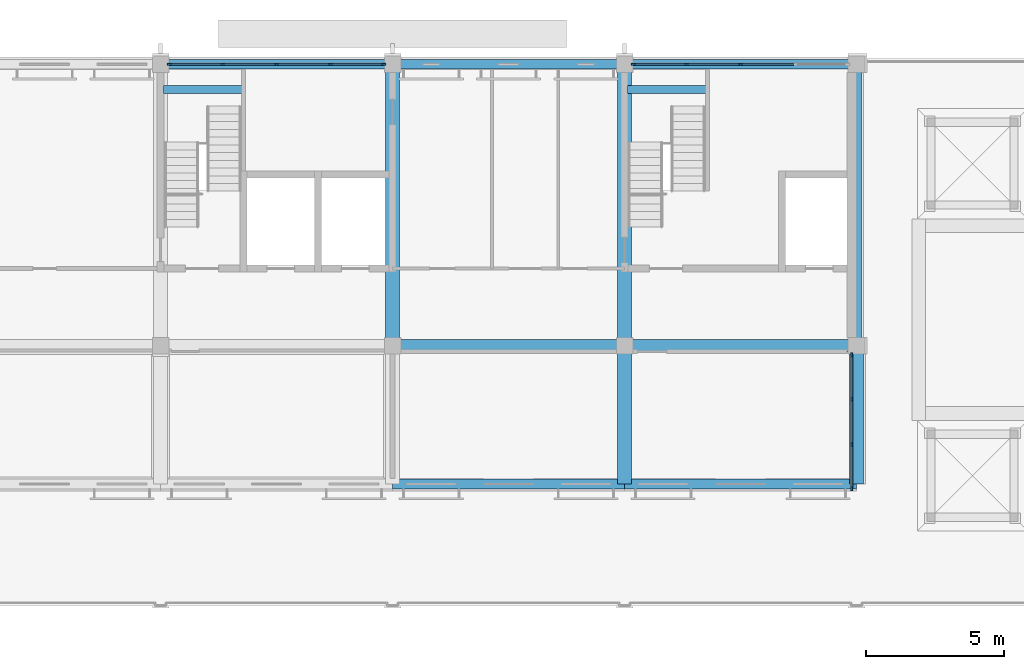
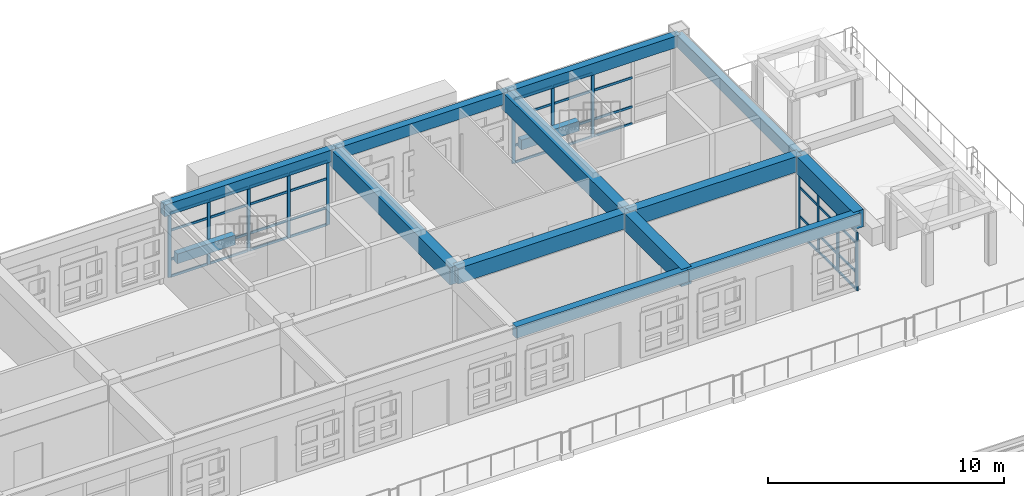
# One storey, part 19 of 71: 51 members, 14 beams, 3 elements without a shape of their own.
"""IFC4 building model written with IfcOpenShell, lengths in metres."""

from ifc_helpers import new_model, si_unit, direction, frame, origin, origin_2d, place, context, subcontext, project, spatial, rectangle, extrude, material, layer, layer_set, material_profile, profile_set, type_object, element, aggregate, save


model = new_model("IFC4")

# Units and contexts
model_context = context("Model", 3, precision=1e-05, world=origin(), true_north=direction((0.0, 1.0)))
body_context = subcontext(model_context, "Body", "Model", "MODEL_VIEW")
ifc_project = project(units=[si_unit("LENGTHUNIT", "METRE"), si_unit("AREAUNIT", "SQUARE_METRE"), si_unit("VOLUMEUNIT", "CUBIC_METRE"), si_unit("PLANEANGLEUNIT", "RADIAN"), si_unit("MASSUNIT", "GRAM", prefix="KILO")], contexts=[model_context])

# Site, building, storey
site_placement = place(None, origin())
site = spatial("IfcSite", under=ifc_project, at=site_placement, CompositionType="ELEMENT")
building_placement = place(site_placement, origin())
building = spatial("IfcBuilding", under=site, at=building_placement, Name="Wasatch Bagh Community Centre", CompositionType="ELEMENT")
storey_placement = place(building_placement, frame((0.0, 0.0, 12.60009765625)))
storey = spatial("IfcBuildingStorey", under=building, at=storey_placement, Name="L03", CompositionType="ELEMENT", Elevation=12.60009765625)

# Beams
ifc_material_1 = material(Name="Concrete C35", Category="concrete")
ifc_material_profile_1 = material_profile(ifc_material_1, rectangle(XDim=0.300048828125, YDim=0.5, at=origin_2d()), Name="RC 300x500")
ifc_profile_set_1 = profile_set([ifc_material_profile_1], Name="Concrete C35")
beam_type_1 = type_object("IfcBeamType", Name="LW RC 300x500", PredefinedType="BEAM", material=ifc_profile_set_1)
for number, where, z_axis, x_axis, name in (
    (1, (106.10498046875, 96.8798828125, 1.64990234375), (1.0, 0.0, 0.0), (0.0, 1.0, 0.0), "LW.lbeam.L03.C2"),
    (2, (122.905029296875, 96.8798828125, 1.64990234375), (1.0, 0.0, 0.0), (0.0, 1.0, 0.0), "LW.lbeam.L03.C3"),
):
    element("IfcBeam", number, at=place(storey_placement, frame(where, z_axis=z_axis, x_axis=x_axis)), inside=storey, type_object=beam_type_1, Name=name, PredefinedType="BEAM", context=body_context, shape_type="SweptSolid", body=[
        extrude(rectangle(XDim=0.300048828125, YDim=0.5, at=origin_2d()), origin(), (0.0, 0.0, 1.0), 2.840087890625),
    ])
ifc_material_profile_2 = material_profile(ifc_material_1, rectangle(XDim=0.35009765625, YDim=0.60009765625, at=origin_2d()), Name="RC 350x600")
ifc_profile_set_2 = profile_set([ifc_material_profile_2], Name="Concrete C35")
beam_type_2 = type_object("IfcBeamType", Name="LW RC 350x600", PredefinedType="BEAM", material=ifc_profile_set_2)
beam_1_placement = place(storey_placement, frame((106.0, 97.800048828125, 3.619873046875), z_axis=(1.0, 0.0, 0.0), x_axis=(0.0, 1.0, 0.0)))
element("IfcBeam", 3, at=beam_1_placement, inside=storey, type_object=beam_type_2, Name="W6-W7N", PredefinedType="BEAM", context=body_context, shape_type="SweptSolid", body=[
    extrude(rectangle(XDim=0.35009765625, YDim=0.60009765625, at=origin_2d()), origin(), (0.0, 0.0, 1.0), 8.39990234375),
])
beam_2_placement = place(storey_placement, frame((114.39990234375, 97.800048828125, 3.619873046875), z_axis=(1.0, 0.0, 0.0), x_axis=(0.0, 1.0, 0.0)))
element("IfcBeam", 4, at=beam_2_placement, inside=storey, type_object=beam_type_2, Name="W7-W8N", PredefinedType="BEAM", context=body_context, shape_type="SweptSolid", body=[
    extrude(rectangle(XDim=0.35009765625, YDim=0.60009765625, at=origin_2d()), origin(), (0.0, 0.0, 1.0), 8.400146484375),
])
beam_3_placement = place(storey_placement, frame((122.800048828125, 97.800048828125, 3.619873046875), z_axis=(1.0, 0.0, 0.0), x_axis=(0.0, 1.0, 0.0)))
element("IfcBeam", 5, at=beam_3_placement, inside=storey, type_object=beam_type_2, Name="W8-W9N", PredefinedType="BEAM", context=body_context, shape_type="SweptSolid", body=[
    extrude(rectangle(XDim=0.35009765625, YDim=0.60009765625, at=origin_2d()), origin(), (0.0, 0.0, 1.0), 8.39990234375),
])
beam_4_placement = place(storey_placement, frame((131.199951171875, 87.60009765625, 3.619873046875), z_axis=(0.0, 1.0, 0.0), x_axis=(-1.0, 0.0, 0.0)))
element("IfcBeam", 6, at=beam_4_placement, inside=storey, type_object=beam_type_2, Name="W9M-N", PredefinedType="BEAM", context=body_context, shape_type="SweptSolid", body=[
    extrude(rectangle(XDim=0.35009765625, YDim=0.60009765625, at=origin_2d()), origin(), (0.0, 0.0, 1.0), 10.199951171875),
])
beam_5_placement = place(storey_placement, frame((114.39990234375, 82.60009765625, 3.619873046875), z_axis=(1.0, 0.0, 0.0), x_axis=(0.0, 1.0, 0.0)))
element("IfcBeam", 7, at=beam_5_placement, inside=storey, type_object=beam_type_2, Name="W7-W8tip", PredefinedType="BEAM", context=body_context, shape_type="SweptSolid", body=[
    extrude(rectangle(XDim=0.35009765625, YDim=0.60009765625, at=origin_2d()), origin(), (0.0, 0.0, 1.0), 8.400146484375),
])
beam_6_placement = place(storey_placement, frame((122.800048828125, 82.60009765625, 3.619873046875), z_axis=(1.0, 0.0, 0.0), x_axis=(0.0, 1.0, 0.0)))
element("IfcBeam", 8, at=beam_6_placement, inside=storey, type_object=beam_type_2, Name="W8-W9tip", PredefinedType="BEAM", context=body_context, shape_type="SweptSolid", body=[
    extrude(rectangle(XDim=0.35009765625, YDim=0.60009765625, at=origin_2d()), origin(), (0.0, 0.0, 1.0), 8.39990234375),
])
ifc_material_profile_3 = material_profile(ifc_material_1, rectangle(XDim=0.449951171875, YDim=0.800048828125, at=origin_2d()), Name="RC 450x800")
ifc_profile_set_3 = profile_set([ifc_material_profile_3], Name="Concrete C35")
beam_type_3 = type_object("IfcBeamType", Name="LW RC 450x800", PredefinedType="BEAM", material=ifc_profile_set_3)
beam_7_placement = place(storey_placement, frame((114.39990234375, 87.60009765625, 3.52001953125), z_axis=(1.0, 0.0, 0.0), x_axis=(0.0, 1.0, 0.0)))
element("IfcBeam", 9, at=beam_7_placement, inside=storey, type_object=beam_type_3, Name="W7-W8M", PredefinedType="BEAM", context=body_context, shape_type="SweptSolid", body=[
    extrude(rectangle(XDim=0.449951171875, YDim=0.800048828125, at=origin_2d()), origin(), (0.0, 0.0, 1.0), 8.400146484375),
])
beam_8_placement = place(storey_placement, frame((122.800048828125, 87.60009765625, 3.52001953125), z_axis=(1.0, 0.0, 0.0), x_axis=(0.0, 1.0, 0.0)))
element("IfcBeam", 10, at=beam_8_placement, inside=storey, type_object=beam_type_3, Name="W8-W9M", PredefinedType="BEAM", context=body_context, shape_type="SweptSolid", body=[
    extrude(rectangle(XDim=0.449951171875, YDim=0.800048828125, at=origin_2d()), origin(), (0.0, 0.0, 1.0), 8.39990234375),
])
ifc_material_profile_4 = material_profile(ifc_material_1, rectangle(XDim=0.5, YDim=0.89990234375, at=origin_2d()), Name="RC 500x900")
ifc_profile_set_4 = profile_set([ifc_material_profile_4], Name="Concrete C35")
beam_type_4 = type_object("IfcBeamType", Name="LW RC 500x900", PredefinedType="BEAM", material=ifc_profile_set_4)
for number, where, z_axis, x_axis, name in (
    (11, (114.39990234375, 87.60009765625, 3.469970703125), (0.0, 1.0, 0.0), (-1.0, 0.0, 0.0), "W7M-N"),
    (12, (122.800048828125, 87.60009765625, 3.469970703125), (0.0, 1.0, 0.0), (-1.0, 0.0, 0.0), "W8M-N"),
):
    element("IfcBeam", number, at=place(storey_placement, frame(where, z_axis=z_axis, x_axis=x_axis)), inside=storey, type_object=beam_type_4, Name=name, PredefinedType="BEAM", context=body_context, shape_type="SweptSolid", body=[
        extrude(rectangle(XDim=0.5, YDim=0.89990234375, at=origin_2d()), origin(), (0.0, 0.0, 1.0), 10.199951171875),
    ])
for number, where, z_axis, x_axis, name in (
    (13, (122.800048828125, 87.60009765625, 3.469970703125), (0.0, -1.0, 0.0), (1.0, 0.0, 0.0), "W8M-tip"),
    (14, (131.199951171875, 87.60009765625, 3.469970703125), (0.0, -1.0, 0.0), (1.0, 0.0, 0.0), "W9M-tip"),
):
    element("IfcBeam", number, at=place(storey_placement, frame(where, z_axis=z_axis, x_axis=x_axis)), inside=storey, type_object=beam_type_4, Name=name, PredefinedType="BEAM", context=body_context, shape_type="SweptSolid", body=[
        extrude(rectangle(XDim=0.5, YDim=0.89990234375, at=origin_2d()), origin(), (0.0, 0.0, 1.0), 5.0),
    ])

# Curtain wall, members
ifc_material_2 = material(Name="Aluminium curtain wall frame with low-iron glass", Category="aluminium")
ifc_layer_1 = layer(ifc_material_2, 0.10009765625)
ifc_layer_set_1 = layer_set([ifc_layer_1], Name="Aluminium curtain wall frame with low-iron glass")
curtain_wall_type_1 = type_object("IfcCurtainWallType", Name="LW curtain wall 100", PredefinedType="NOTDEFINED", material=ifc_layer_set_1)
curtain_wall_1_placement = place(storey_placement, origin())
curtain_wall_1 = element("IfcCurtainWall", 15, at=curtain_wall_1_placement, inside=storey, type_object=curtain_wall_type_1, Name="Curtain wall 03.04", PredefinedType="NOTDEFINED")
ifc_material_3 = material(Name="Aluminium extrusion", Category="aluminium")
ifc_material_profile_5 = material_profile(ifc_material_3, rectangle(XDim=0.06005859375, YDim=0.159912109375, at=origin_2d()), Name="AL 60x160")
ifc_profile_set_5 = profile_set([ifc_material_profile_5], Name="Aluminium extrusion")
member_type_1 = type_object("IfcMemberType", Name="LW curtain wall mullion 60x160", PredefinedType="MULLION", material=ifc_profile_set_5)
member_1_placement = place(storey_placement, frame((106.330078125, 97.800048828125, 0.0), z_axis=(0.0, 0.0, 1.0), x_axis=(0.0, 1.0, 0.0)))
member_1 = element("IfcMember", 16, at=member_1_placement, type_object=member_type_1, Name="LW-CW1 mullion 1", PredefinedType="MULLION", context=body_context, shape_type="SweptSolid", body=[
    extrude(rectangle(XDim=0.06005859375, YDim=0.159912109375, at=origin_2d()), origin(), (0.0, 0.0, 1.0), 3.31982421875),
])
member_2_placement = place(storey_placement, frame((108.25, 97.800048828125, 0.0), z_axis=(0.0, 0.0, 1.0), x_axis=(0.0, 1.0, 0.0)))
member_2 = element("IfcMember", 17, at=member_2_placement, type_object=member_type_1, Name="LW-CW1 mullion 2", PredefinedType="MULLION", context=body_context, shape_type="SweptSolid", body=[
    extrude(rectangle(XDim=0.06005859375, YDim=0.159912109375, at=origin_2d()), origin(), (0.0, 0.0, 1.0), 3.31982421875),
])
member_3_placement = place(storey_placement, frame((110.199951171875, 97.800048828125, 0.0), z_axis=(0.0, 0.0, 1.0), x_axis=(0.0, 1.0, 0.0)))
member_3 = element("IfcMember", 18, at=member_3_placement, type_object=member_type_1, Name="LW-CW1 mullion 3", PredefinedType="MULLION", context=body_context, shape_type="SweptSolid", body=[
    extrude(rectangle(XDim=0.06005859375, YDim=0.159912109375, at=origin_2d()), origin(), (0.0, 0.0, 1.0), 3.31982421875),
])
member_4_placement = place(storey_placement, frame((112.14990234375, 97.800048828125, 0.0), z_axis=(0.0, 0.0, 1.0), x_axis=(0.0, 1.0, 0.0)))
member_4 = element("IfcMember", 19, at=member_4_placement, type_object=member_type_1, Name="LW-CW1 mullion 4", PredefinedType="MULLION", context=body_context, shape_type="SweptSolid", body=[
    extrude(rectangle(XDim=0.06005859375, YDim=0.159912109375, at=origin_2d()), origin(), (0.0, 0.0, 1.0), 3.31982421875),
])
member_5_placement = place(storey_placement, frame((114.070068359375, 97.800048828125, 0.0), z_axis=(0.0, 0.0, 1.0), x_axis=(0.0, 1.0, 0.0)))
member_5 = element("IfcMember", 20, at=member_5_placement, type_object=member_type_1, Name="LW-CW1 mullion 5", PredefinedType="MULLION", context=body_context, shape_type="SweptSolid", body=[
    extrude(rectangle(XDim=0.06005859375, YDim=0.159912109375, at=origin_2d()), origin(), (0.0, 0.0, 1.0), 3.31982421875),
])

curtain_wall_2_placement = place(storey_placement, origin())
curtain_wall_2 = element("IfcCurtainWall", 21, at=curtain_wall_2_placement, inside=storey, type_object=curtain_wall_type_1, Name="Curtain wall 03.05", PredefinedType="NOTDEFINED")
member_6_placement = place(storey_placement, frame((123.1298828125, 97.800048828125, 0.0), z_axis=(0.0, 0.0, 1.0), x_axis=(0.0, 1.0, 0.0)))
member_6 = element("IfcMember", 22, at=member_6_placement, type_object=member_type_1, Name="LW-CW1 mullion 1", PredefinedType="MULLION", context=body_context, shape_type="SweptSolid", body=[
    extrude(rectangle(XDim=0.06005859375, YDim=0.159912109375, at=origin_2d()), origin(), (0.0, 0.0, 1.0), 3.31982421875),
])
member_7_placement = place(storey_placement, frame((125.050048828125, 97.800048828125, 0.0), z_axis=(0.0, 0.0, 1.0), x_axis=(0.0, 1.0, 0.0)))
member_7 = element("IfcMember", 23, at=member_7_placement, type_object=member_type_1, Name="LW-CW1 mullion 2", PredefinedType="MULLION", context=body_context, shape_type="SweptSolid", body=[
    extrude(rectangle(XDim=0.06005859375, YDim=0.159912109375, at=origin_2d()), origin(), (0.0, 0.0, 1.0), 3.31982421875),
])
member_8_placement = place(storey_placement, frame((127.0, 97.800048828125, 0.0), z_axis=(0.0, 0.0, 1.0), x_axis=(0.0, 1.0, 0.0)))
member_8 = element("IfcMember", 24, at=member_8_placement, type_object=member_type_1, Name="LW-CW1 mullion 3", PredefinedType="MULLION", context=body_context, shape_type="SweptSolid", body=[
    extrude(rectangle(XDim=0.06005859375, YDim=0.159912109375, at=origin_2d()), origin(), (0.0, 0.0, 1.0), 3.31982421875),
])

ifc_layer_2 = layer(ifc_material_2, 0.159912109375)
ifc_layer_set_2 = layer_set([ifc_layer_2], Name="Aluminium curtain wall frame with low-iron glass")
curtain_wall_type_2 = type_object("IfcCurtainWallType", Name="LW gable curtain wall 160", PredefinedType="NOTDEFINED", material=ifc_layer_set_2)
curtain_wall_3_placement = place(storey_placement, origin())
curtain_wall_3 = element("IfcCurtainWall", 25, at=curtain_wall_3_placement, inside=storey, type_object=curtain_wall_type_2, Name="Curtain wall 03.07", PredefinedType="NOTDEFINED")
ifc_material_profile_6 = material_profile(ifc_material_3, rectangle(XDim=0.06005859375, YDim=0.159912109375, at=origin_2d()), Name="AL 60x160")
ifc_profile_set_6 = profile_set([ifc_material_profile_6], Name="Aluminium extrusion")
member_type_2 = type_object("IfcMemberType", Name="LW curtain wall mullion 60x160 LW-CW4", PredefinedType="MULLION", material=ifc_profile_set_6)
member_9_placement = place(storey_placement, frame((131.02490234375, 82.429931640625, 0.0), z_axis=(0.0, 0.0, 1.0), x_axis=(-1.0, 0.0, 0.0)))
member_9 = element("IfcMember", 26, at=member_9_placement, type_object=member_type_2, Name="LW-CW4 mullion 1", PredefinedType="MULLION", context=body_context, shape_type="SweptSolid", body=[
    extrude(rectangle(XDim=0.06005859375, YDim=0.159912109375, at=origin_2d()), origin(), (0.0, 0.0, 1.0), 3.02001953125),
])
member_10_placement = place(storey_placement, frame((131.02490234375, 84.033447265625, 0.0), z_axis=(0.0, 0.0, 1.0), x_axis=(-1.0, 0.0, 0.0)))
member_10 = element("IfcMember", 27, at=member_10_placement, type_object=member_type_2, Name="LW-CW4 mullion 2", PredefinedType="MULLION", context=body_context, shape_type="SweptSolid", body=[
    extrude(rectangle(XDim=0.06005859375, YDim=0.159912109375, at=origin_2d()), origin(), (0.0, 0.0, 1.0), 3.02001953125),
])
member_11_placement = place(storey_placement, frame((131.02490234375, 85.666748046875, 0.0), z_axis=(0.0, 0.0, 1.0), x_axis=(-1.0, 0.0, 0.0)))
member_11 = element("IfcMember", 28, at=member_11_placement, type_object=member_type_2, Name="LW-CW4 mullion 3", PredefinedType="MULLION", context=body_context, shape_type="SweptSolid", body=[
    extrude(rectangle(XDim=0.06005859375, YDim=0.159912109375, at=origin_2d()), origin(), (0.0, 0.0, 1.0), 3.02001953125),
])
member_12_placement = place(storey_placement, frame((131.02490234375, 87.27001953125, 0.0), z_axis=(0.0, 0.0, 1.0), x_axis=(-1.0, 0.0, 0.0)))
member_12 = element("IfcMember", 29, at=member_12_placement, type_object=member_type_2, Name="LW-CW4 mullion 4", PredefinedType="MULLION", context=body_context, shape_type="SweptSolid", body=[
    extrude(rectangle(XDim=0.06005859375, YDim=0.159912109375, at=origin_2d()), origin(), (0.0, 0.0, 1.0), 3.02001953125),
])

# Member
ifc_material_profile_7 = material_profile(ifc_material_3, rectangle(XDim=0.06005859375, YDim=0.1201171875, at=origin_2d()), Name="AL 60x120")
ifc_profile_set_7 = profile_set([ifc_material_profile_7], Name="Aluminium extrusion")
member_type_3 = type_object("IfcMemberType", Name="LW curtain wall transom 60x120", PredefinedType="USERDEFINED", material=ifc_profile_set_7)
member_13_placement = place(storey_placement, frame((106.360107421875, 97.800048828125, 0.02978515625), z_axis=(1.0, 0.0, 0.0), x_axis=(0.0, 1.0, 0.0)))
member_13 = element("IfcMember", 30, at=member_13_placement, type_object=member_type_3, Name="LW-CW1 transom 1.1", ObjectType="TRANSOM", PredefinedType="USERDEFINED", context=body_context, shape_type="SweptSolid", body=[
    extrude(rectangle(XDim=0.06005859375, YDim=0.1201171875, at=origin_2d()), origin(), (0.0, 0.0, 1.0), 1.85986328125),
])

member_14_placement = place(storey_placement, frame((106.360107421875, 97.800048828125, 0.89990234375), z_axis=(1.0, 0.0, 0.0), x_axis=(0.0, 1.0, 0.0)))
member_14 = element("IfcMember", 31, at=member_14_placement, type_object=member_type_3, Name="LW-CW1 transom 1.2", ObjectType="TRANSOM", PredefinedType="USERDEFINED", context=body_context, shape_type="SweptSolid", body=[
    extrude(rectangle(XDim=0.06005859375, YDim=0.1201171875, at=origin_2d()), origin(), (0.0, 0.0, 1.0), 1.85986328125),
])

member_15_placement = place(storey_placement, frame((106.360107421875, 97.800048828125, 2.39990234375), z_axis=(1.0, 0.0, 0.0), x_axis=(0.0, 1.0, 0.0)))
member_15 = element("IfcMember", 32, at=member_15_placement, type_object=member_type_3, Name="LW-CW1 transom 1.3", ObjectType="TRANSOM", PredefinedType="USERDEFINED", context=body_context, shape_type="SweptSolid", body=[
    extrude(rectangle(XDim=0.06005859375, YDim=0.1201171875, at=origin_2d()), origin(), (0.0, 0.0, 1.0), 1.85986328125),
])

member_16_placement = place(storey_placement, frame((106.360107421875, 97.800048828125, 3.289794921875), z_axis=(1.0, 0.0, 0.0), x_axis=(0.0, 1.0, 0.0)))
member_16 = element("IfcMember", 33, at=member_16_placement, type_object=member_type_3, Name="LW-CW1 transom 1.4", ObjectType="TRANSOM", PredefinedType="USERDEFINED", context=body_context, shape_type="SweptSolid", body=[
    extrude(rectangle(XDim=0.06005859375, YDim=0.1201171875, at=origin_2d()), origin(), (0.0, 0.0, 1.0), 1.85986328125),
])

member_17_placement = place(storey_placement, frame((108.280029296875, 97.800048828125, 0.02978515625), z_axis=(1.0, 0.0, 0.0), x_axis=(0.0, 1.0, 0.0)))
member_17 = element("IfcMember", 34, at=member_17_placement, type_object=member_type_3, Name="LW-CW1 transom 2.1", ObjectType="TRANSOM", PredefinedType="USERDEFINED", context=body_context, shape_type="SweptSolid", body=[
    extrude(rectangle(XDim=0.06005859375, YDim=0.1201171875, at=origin_2d()), origin(), (0.0, 0.0, 1.0), 1.889892578125),
])

member_18_placement = place(storey_placement, frame((108.280029296875, 97.800048828125, 0.89990234375), z_axis=(1.0, 0.0, 0.0), x_axis=(0.0, 1.0, 0.0)))
member_18 = element("IfcMember", 35, at=member_18_placement, type_object=member_type_3, Name="LW-CW1 transom 2.2", ObjectType="TRANSOM", PredefinedType="USERDEFINED", context=body_context, shape_type="SweptSolid", body=[
    extrude(rectangle(XDim=0.06005859375, YDim=0.1201171875, at=origin_2d()), origin(), (0.0, 0.0, 1.0), 1.889892578125),
])

member_19_placement = place(storey_placement, frame((108.280029296875, 97.800048828125, 2.39990234375), z_axis=(1.0, 0.0, 0.0), x_axis=(0.0, 1.0, 0.0)))
member_19 = element("IfcMember", 36, at=member_19_placement, type_object=member_type_3, Name="LW-CW1 transom 2.3", ObjectType="TRANSOM", PredefinedType="USERDEFINED", context=body_context, shape_type="SweptSolid", body=[
    extrude(rectangle(XDim=0.06005859375, YDim=0.1201171875, at=origin_2d()), origin(), (0.0, 0.0, 1.0), 1.889892578125),
])

member_20_placement = place(storey_placement, frame((108.280029296875, 97.800048828125, 3.289794921875), z_axis=(1.0, 0.0, 0.0), x_axis=(0.0, 1.0, 0.0)))
member_20 = element("IfcMember", 37, at=member_20_placement, type_object=member_type_3, Name="LW-CW1 transom 2.4", ObjectType="TRANSOM", PredefinedType="USERDEFINED", context=body_context, shape_type="SweptSolid", body=[
    extrude(rectangle(XDim=0.06005859375, YDim=0.1201171875, at=origin_2d()), origin(), (0.0, 0.0, 1.0), 1.889892578125),
])

member_21_placement = place(storey_placement, frame((110.22998046875, 97.800048828125, 0.02978515625), z_axis=(1.0, 0.0, 0.0), x_axis=(0.0, 1.0, 0.0)))
member_21 = element("IfcMember", 38, at=member_21_placement, type_object=member_type_3, Name="LW-CW1 transom 3.1", ObjectType="TRANSOM", PredefinedType="USERDEFINED", context=body_context, shape_type="SweptSolid", body=[
    extrude(rectangle(XDim=0.06005859375, YDim=0.1201171875, at=origin_2d()), origin(), (0.0, 0.0, 1.0), 1.89013671875),
])

member_22_placement = place(storey_placement, frame((110.22998046875, 97.800048828125, 0.89990234375), z_axis=(1.0, 0.0, 0.0), x_axis=(0.0, 1.0, 0.0)))
member_22 = element("IfcMember", 39, at=member_22_placement, type_object=member_type_3, Name="LW-CW1 transom 3.2", ObjectType="TRANSOM", PredefinedType="USERDEFINED", context=body_context, shape_type="SweptSolid", body=[
    extrude(rectangle(XDim=0.06005859375, YDim=0.1201171875, at=origin_2d()), origin(), (0.0, 0.0, 1.0), 1.89013671875),
])

member_23_placement = place(storey_placement, frame((110.22998046875, 97.800048828125, 2.39990234375), z_axis=(1.0, 0.0, 0.0), x_axis=(0.0, 1.0, 0.0)))
member_23 = element("IfcMember", 40, at=member_23_placement, type_object=member_type_3, Name="LW-CW1 transom 3.3", ObjectType="TRANSOM", PredefinedType="USERDEFINED", context=body_context, shape_type="SweptSolid", body=[
    extrude(rectangle(XDim=0.06005859375, YDim=0.1201171875, at=origin_2d()), origin(), (0.0, 0.0, 1.0), 1.89013671875),
])

member_24_placement = place(storey_placement, frame((110.22998046875, 97.800048828125, 3.289794921875), z_axis=(1.0, 0.0, 0.0), x_axis=(0.0, 1.0, 0.0)))
member_24 = element("IfcMember", 41, at=member_24_placement, type_object=member_type_3, Name="LW-CW1 transom 3.4", ObjectType="TRANSOM", PredefinedType="USERDEFINED", context=body_context, shape_type="SweptSolid", body=[
    extrude(rectangle(XDim=0.06005859375, YDim=0.1201171875, at=origin_2d()), origin(), (0.0, 0.0, 1.0), 1.89013671875),
])

member_25_placement = place(storey_placement, frame((112.179931640625, 97.800048828125, 0.02978515625), z_axis=(1.0, 0.0, 0.0), x_axis=(0.0, 1.0, 0.0)))
member_25 = element("IfcMember", 42, at=member_25_placement, type_object=member_type_3, Name="LW-CW1 transom 4.1", ObjectType="TRANSOM", PredefinedType="USERDEFINED", context=body_context, shape_type="SweptSolid", body=[
    extrude(rectangle(XDim=0.06005859375, YDim=0.1201171875, at=origin_2d()), origin(), (0.0, 0.0, 1.0), 1.860107421875),
])

member_26_placement = place(storey_placement, frame((112.179931640625, 97.800048828125, 0.89990234375), z_axis=(1.0, 0.0, 0.0), x_axis=(0.0, 1.0, 0.0)))
member_26 = element("IfcMember", 43, at=member_26_placement, type_object=member_type_3, Name="LW-CW1 transom 4.2", ObjectType="TRANSOM", PredefinedType="USERDEFINED", context=body_context, shape_type="SweptSolid", body=[
    extrude(rectangle(XDim=0.06005859375, YDim=0.1201171875, at=origin_2d()), origin(), (0.0, 0.0, 1.0), 1.860107421875),
])

member_27_placement = place(storey_placement, frame((112.179931640625, 97.800048828125, 2.39990234375), z_axis=(1.0, 0.0, 0.0), x_axis=(0.0, 1.0, 0.0)))
member_27 = element("IfcMember", 44, at=member_27_placement, type_object=member_type_3, Name="LW-CW1 transom 4.3", ObjectType="TRANSOM", PredefinedType="USERDEFINED", context=body_context, shape_type="SweptSolid", body=[
    extrude(rectangle(XDim=0.06005859375, YDim=0.1201171875, at=origin_2d()), origin(), (0.0, 0.0, 1.0), 1.860107421875),
])

member_28_placement = place(storey_placement, frame((112.179931640625, 97.800048828125, 3.289794921875), z_axis=(1.0, 0.0, 0.0), x_axis=(0.0, 1.0, 0.0)))
member_28 = element("IfcMember", 45, at=member_28_placement, type_object=member_type_3, Name="LW-CW1 transom 4.4", ObjectType="TRANSOM", PredefinedType="USERDEFINED", context=body_context, shape_type="SweptSolid", body=[
    extrude(rectangle(XDim=0.06005859375, YDim=0.1201171875, at=origin_2d()), origin(), (0.0, 0.0, 1.0), 1.860107421875),
])

aggregate(curtain_wall_1, [member_1, member_2, member_3, member_4, member_5, member_13, member_14, member_15, member_16, member_17, member_18, member_19, member_20, member_21, member_22, member_23, member_24, member_25, member_26, member_27, member_28])

member_29_placement = place(storey_placement, frame((123.159912109375, 97.800048828125, 0.02978515625), z_axis=(1.0, 0.0, 0.0), x_axis=(0.0, 1.0, 0.0)))
member_29 = element("IfcMember", 46, at=member_29_placement, type_object=member_type_3, Name="LW-CW1 transom 1.1", ObjectType="TRANSOM", PredefinedType="USERDEFINED", context=body_context, shape_type="SweptSolid", body=[
    extrude(rectangle(XDim=0.06005859375, YDim=0.1201171875, at=origin_2d()), origin(), (0.0, 0.0, 1.0), 1.860107421875),
])

member_30_placement = place(storey_placement, frame((123.159912109375, 97.800048828125, 0.89990234375), z_axis=(1.0, 0.0, 0.0), x_axis=(0.0, 1.0, 0.0)))
member_30 = element("IfcMember", 47, at=member_30_placement, type_object=member_type_3, Name="LW-CW1 transom 1.2", ObjectType="TRANSOM", PredefinedType="USERDEFINED", context=body_context, shape_type="SweptSolid", body=[
    extrude(rectangle(XDim=0.06005859375, YDim=0.1201171875, at=origin_2d()), origin(), (0.0, 0.0, 1.0), 1.860107421875),
])

member_31_placement = place(storey_placement, frame((123.159912109375, 97.800048828125, 2.39990234375), z_axis=(1.0, 0.0, 0.0), x_axis=(0.0, 1.0, 0.0)))
member_31 = element("IfcMember", 48, at=member_31_placement, type_object=member_type_3, Name="LW-CW1 transom 1.3", ObjectType="TRANSOM", PredefinedType="USERDEFINED", context=body_context, shape_type="SweptSolid", body=[
    extrude(rectangle(XDim=0.06005859375, YDim=0.1201171875, at=origin_2d()), origin(), (0.0, 0.0, 1.0), 1.860107421875),
])

member_32_placement = place(storey_placement, frame((123.159912109375, 97.800048828125, 3.289794921875), z_axis=(1.0, 0.0, 0.0), x_axis=(0.0, 1.0, 0.0)))
member_32 = element("IfcMember", 49, at=member_32_placement, type_object=member_type_3, Name="LW-CW1 transom 1.4", ObjectType="TRANSOM", PredefinedType="USERDEFINED", context=body_context, shape_type="SweptSolid", body=[
    extrude(rectangle(XDim=0.06005859375, YDim=0.1201171875, at=origin_2d()), origin(), (0.0, 0.0, 1.0), 1.860107421875),
])

member_33_placement = place(storey_placement, frame((125.080078125, 97.800048828125, 0.02978515625), z_axis=(1.0, 0.0, 0.0), x_axis=(0.0, 1.0, 0.0)))
member_33 = element("IfcMember", 50, at=member_33_placement, type_object=member_type_3, Name="LW-CW1 transom 2.1", ObjectType="TRANSOM", PredefinedType="USERDEFINED", context=body_context, shape_type="SweptSolid", body=[
    extrude(rectangle(XDim=0.06005859375, YDim=0.1201171875, at=origin_2d()), origin(), (0.0, 0.0, 1.0), 1.889892578125),
])

member_34_placement = place(storey_placement, frame((125.080078125, 97.800048828125, 0.89990234375), z_axis=(1.0, 0.0, 0.0), x_axis=(0.0, 1.0, 0.0)))
member_34 = element("IfcMember", 51, at=member_34_placement, type_object=member_type_3, Name="LW-CW1 transom 2.2", ObjectType="TRANSOM", PredefinedType="USERDEFINED", context=body_context, shape_type="SweptSolid", body=[
    extrude(rectangle(XDim=0.06005859375, YDim=0.1201171875, at=origin_2d()), origin(), (0.0, 0.0, 1.0), 1.889892578125),
])

member_35_placement = place(storey_placement, frame((125.080078125, 97.800048828125, 2.39990234375), z_axis=(1.0, 0.0, 0.0), x_axis=(0.0, 1.0, 0.0)))
member_35 = element("IfcMember", 52, at=member_35_placement, type_object=member_type_3, Name="LW-CW1 transom 2.3", ObjectType="TRANSOM", PredefinedType="USERDEFINED", context=body_context, shape_type="SweptSolid", body=[
    extrude(rectangle(XDim=0.06005859375, YDim=0.1201171875, at=origin_2d()), origin(), (0.0, 0.0, 1.0), 1.889892578125),
])

member_36_placement = place(storey_placement, frame((125.080078125, 97.800048828125, 3.289794921875), z_axis=(1.0, 0.0, 0.0), x_axis=(0.0, 1.0, 0.0)))
member_36 = element("IfcMember", 53, at=member_36_placement, type_object=member_type_3, Name="LW-CW1 transom 2.4", ObjectType="TRANSOM", PredefinedType="USERDEFINED", context=body_context, shape_type="SweptSolid", body=[
    extrude(rectangle(XDim=0.06005859375, YDim=0.1201171875, at=origin_2d()), origin(), (0.0, 0.0, 1.0), 1.889892578125),
])

member_37_placement = place(storey_placement, frame((127.030029296875, 97.800048828125, 0.02978515625), z_axis=(1.0, 0.0, 0.0), x_axis=(0.0, 1.0, 0.0)))
member_37 = element("IfcMember", 54, at=member_37_placement, type_object=member_type_3, Name="LW-CW1 transom 3.1", ObjectType="TRANSOM", PredefinedType="USERDEFINED", context=body_context, shape_type="SweptSolid", body=[
    extrude(rectangle(XDim=0.06005859375, YDim=0.1201171875, at=origin_2d()), origin(), (0.0, 0.0, 1.0), 1.889892578125),
])

member_38_placement = place(storey_placement, frame((127.030029296875, 97.800048828125, 0.89990234375), z_axis=(1.0, 0.0, 0.0), x_axis=(0.0, 1.0, 0.0)))
member_38 = element("IfcMember", 55, at=member_38_placement, type_object=member_type_3, Name="LW-CW1 transom 3.2", ObjectType="TRANSOM", PredefinedType="USERDEFINED", context=body_context, shape_type="SweptSolid", body=[
    extrude(rectangle(XDim=0.06005859375, YDim=0.1201171875, at=origin_2d()), origin(), (0.0, 0.0, 1.0), 1.889892578125),
])

member_39_placement = place(storey_placement, frame((127.030029296875, 97.800048828125, 2.39990234375), z_axis=(1.0, 0.0, 0.0), x_axis=(0.0, 1.0, 0.0)))
member_39 = element("IfcMember", 56, at=member_39_placement, type_object=member_type_3, Name="LW-CW1 transom 3.3", ObjectType="TRANSOM", PredefinedType="USERDEFINED", context=body_context, shape_type="SweptSolid", body=[
    extrude(rectangle(XDim=0.06005859375, YDim=0.1201171875, at=origin_2d()), origin(), (0.0, 0.0, 1.0), 1.889892578125),
])

aggregate(curtain_wall_2, [member_6, member_7, member_8, member_29, member_30, member_31, member_32, member_33, member_34, member_35, member_36, member_37, member_38, member_39])

ifc_material_profile_8 = material_profile(ifc_material_3, rectangle(XDim=0.06005859375, YDim=0.1201171875, at=origin_2d()), Name="AL 60x120")
ifc_profile_set_8 = profile_set([ifc_material_profile_8], Name="Aluminium extrusion")
member_type_4 = type_object("IfcMemberType", Name="LW curtain wall transom 60x120 LW-CW4", PredefinedType="USERDEFINED", material=ifc_profile_set_8)
member_40_placement = place(storey_placement, frame((131.02490234375, 82.4599609375, 0.02978515625), z_axis=(0.0, 1.0, 0.0), x_axis=(-1.0, 0.0, 0.0)))
member_40 = element("IfcMember", 57, at=member_40_placement, type_object=member_type_4, Name="LW-CW4 transom 1.1", ObjectType="TRANSOM", PredefinedType="USERDEFINED", context=body_context, shape_type="SweptSolid", body=[
    extrude(rectangle(XDim=0.06005859375, YDim=0.1201171875, at=origin_2d()), origin(), (0.0, 0.0, 1.0), 1.54345703125),
])

member_41_placement = place(storey_placement, frame((131.02490234375, 82.4599609375, 0.89990234375), z_axis=(0.0, 1.0, 0.0), x_axis=(-1.0, 0.0, 0.0)))
member_41 = element("IfcMember", 58, at=member_41_placement, type_object=member_type_4, Name="LW-CW4 transom 1.2", ObjectType="TRANSOM", PredefinedType="USERDEFINED", context=body_context, shape_type="SweptSolid", body=[
    extrude(rectangle(XDim=0.06005859375, YDim=0.1201171875, at=origin_2d()), origin(), (0.0, 0.0, 1.0), 1.54345703125),
])

member_42_placement = place(storey_placement, frame((131.02490234375, 82.4599609375, 2.39990234375), z_axis=(0.0, 1.0, 0.0), x_axis=(-1.0, 0.0, 0.0)))
member_42 = element("IfcMember", 59, at=member_42_placement, type_object=member_type_4, Name="LW-CW4 transom 1.3", ObjectType="TRANSOM", PredefinedType="USERDEFINED", context=body_context, shape_type="SweptSolid", body=[
    extrude(rectangle(XDim=0.06005859375, YDim=0.1201171875, at=origin_2d()), origin(), (0.0, 0.0, 1.0), 1.54345703125),
])

member_43_placement = place(storey_placement, frame((131.02490234375, 82.4599609375, 2.989990234375), z_axis=(0.0, 1.0, 0.0), x_axis=(-1.0, 0.0, 0.0)))
member_43 = element("IfcMember", 60, at=member_43_placement, type_object=member_type_4, Name="LW-CW4 transom 1.4", ObjectType="TRANSOM", PredefinedType="USERDEFINED", context=body_context, shape_type="SweptSolid", body=[
    extrude(rectangle(XDim=0.06005859375, YDim=0.1201171875, at=origin_2d()), origin(), (0.0, 0.0, 1.0), 1.54345703125),
])

member_44_placement = place(storey_placement, frame((131.02490234375, 84.063232421875, 0.02978515625), z_axis=(0.0, 1.0, 0.0), x_axis=(-1.0, 0.0, 0.0)))
member_44 = element("IfcMember", 61, at=member_44_placement, type_object=member_type_4, Name="LW-CW4 transom 2.1", ObjectType="TRANSOM", PredefinedType="USERDEFINED", context=body_context, shape_type="SweptSolid", body=[
    extrude(rectangle(XDim=0.06005859375, YDim=0.1201171875, at=origin_2d()), origin(), (0.0, 0.0, 1.0), 1.573486328125),
])

member_45_placement = place(storey_placement, frame((131.02490234375, 84.063232421875, 0.89990234375), z_axis=(0.0, 1.0, 0.0), x_axis=(-1.0, 0.0, 0.0)))
member_45 = element("IfcMember", 62, at=member_45_placement, type_object=member_type_4, Name="LW-CW4 transom 2.2", ObjectType="TRANSOM", PredefinedType="USERDEFINED", context=body_context, shape_type="SweptSolid", body=[
    extrude(rectangle(XDim=0.06005859375, YDim=0.1201171875, at=origin_2d()), origin(), (0.0, 0.0, 1.0), 1.573486328125),
])

member_46_placement = place(storey_placement, frame((131.02490234375, 84.063232421875, 2.39990234375), z_axis=(0.0, 1.0, 0.0), x_axis=(-1.0, 0.0, 0.0)))
member_46 = element("IfcMember", 63, at=member_46_placement, type_object=member_type_4, Name="LW-CW4 transom 2.3", ObjectType="TRANSOM", PredefinedType="USERDEFINED", context=body_context, shape_type="SweptSolid", body=[
    extrude(rectangle(XDim=0.06005859375, YDim=0.1201171875, at=origin_2d()), origin(), (0.0, 0.0, 1.0), 1.573486328125),
])

member_47_placement = place(storey_placement, frame((131.02490234375, 84.063232421875, 2.989990234375), z_axis=(0.0, 1.0, 0.0), x_axis=(-1.0, 0.0, 0.0)))
member_47 = element("IfcMember", 64, at=member_47_placement, type_object=member_type_4, Name="LW-CW4 transom 2.4", ObjectType="TRANSOM", PredefinedType="USERDEFINED", context=body_context, shape_type="SweptSolid", body=[
    extrude(rectangle(XDim=0.06005859375, YDim=0.1201171875, at=origin_2d()), origin(), (0.0, 0.0, 1.0), 1.573486328125),
])

member_48_placement = place(storey_placement, frame((131.02490234375, 85.69677734375, 0.02978515625), z_axis=(0.0, 1.0, 0.0), x_axis=(-1.0, 0.0, 0.0)))
member_48 = element("IfcMember", 65, at=member_48_placement, type_object=member_type_4, Name="LW-CW4 transom 3.1", ObjectType="TRANSOM", PredefinedType="USERDEFINED", context=body_context, shape_type="SweptSolid", body=[
    extrude(rectangle(XDim=0.06005859375, YDim=0.1201171875, at=origin_2d()), origin(), (0.0, 0.0, 1.0), 1.543212890625),
])

member_49_placement = place(storey_placement, frame((131.02490234375, 85.69677734375, 0.89990234375), z_axis=(0.0, 1.0, 0.0), x_axis=(-1.0, 0.0, 0.0)))
member_49 = element("IfcMember", 66, at=member_49_placement, type_object=member_type_4, Name="LW-CW4 transom 3.2", ObjectType="TRANSOM", PredefinedType="USERDEFINED", context=body_context, shape_type="SweptSolid", body=[
    extrude(rectangle(XDim=0.06005859375, YDim=0.1201171875, at=origin_2d()), origin(), (0.0, 0.0, 1.0), 1.543212890625),
])

member_50_placement = place(storey_placement, frame((131.02490234375, 85.69677734375, 2.39990234375), z_axis=(0.0, 1.0, 0.0), x_axis=(-1.0, 0.0, 0.0)))
member_50 = element("IfcMember", 67, at=member_50_placement, type_object=member_type_4, Name="LW-CW4 transom 3.3", ObjectType="TRANSOM", PredefinedType="USERDEFINED", context=body_context, shape_type="SweptSolid", body=[
    extrude(rectangle(XDim=0.06005859375, YDim=0.1201171875, at=origin_2d()), origin(), (0.0, 0.0, 1.0), 1.543212890625),
])

member_51_placement = place(storey_placement, frame((131.02490234375, 85.69677734375, 2.989990234375), z_axis=(0.0, 1.0, 0.0), x_axis=(-1.0, 0.0, 0.0)))
member_51 = element("IfcMember", 68, at=member_51_placement, type_object=member_type_4, Name="LW-CW4 transom 3.4", ObjectType="TRANSOM", PredefinedType="USERDEFINED", context=body_context, shape_type="SweptSolid", body=[
    extrude(rectangle(XDim=0.06005859375, YDim=0.1201171875, at=origin_2d()), origin(), (0.0, 0.0, 1.0), 1.543212890625),
])

aggregate(curtain_wall_3, [member_9, member_10, member_11, member_12, member_40, member_41, member_42, member_43, member_44, member_45, member_46, member_47, member_48, member_49, member_50, member_51])

save(model, "model.ifc")
